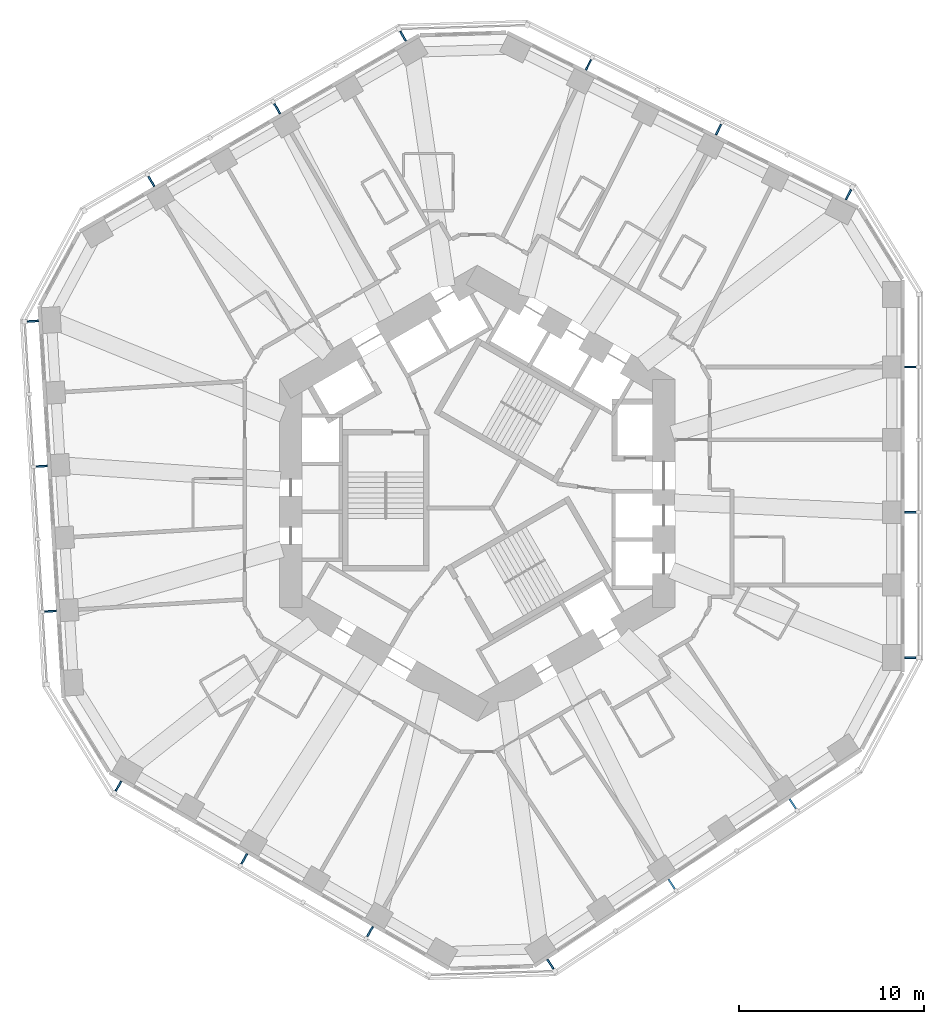
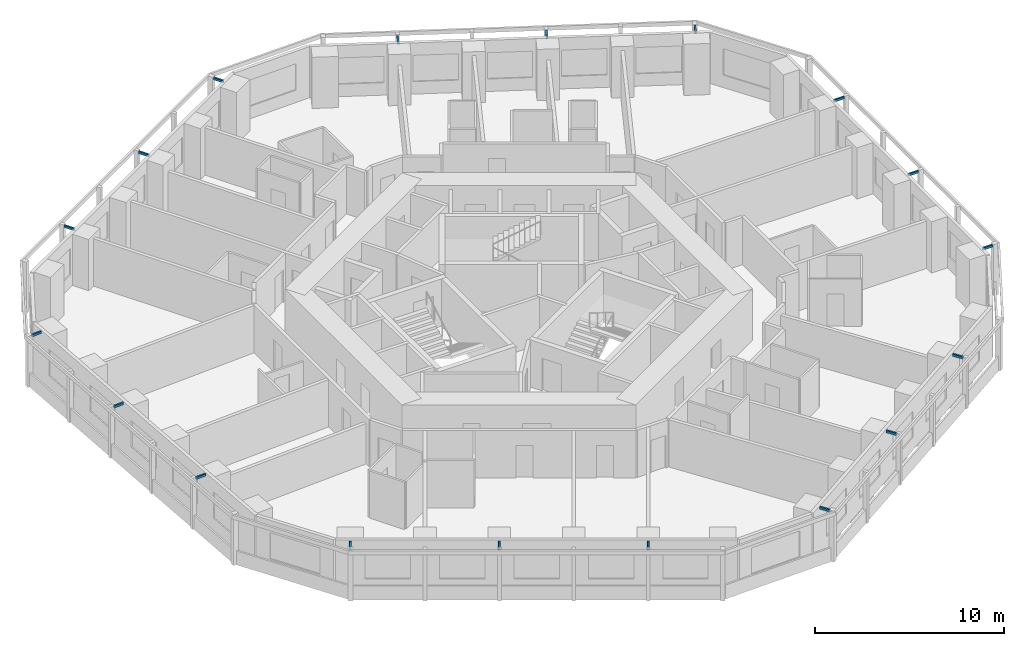
# One storey, part 11 of 12: 18 discrete accessories.
"""IFC4 building model written with IfcOpenShell, lengths in metres."""

from ifc_helpers import new_model, si_unit, direction, frame, origin, origin_2d, place, context, subcontext, project, spatial, rectangle, extrude, material, type_object, element, save


model = new_model("IFC4")

# Units and contexts
model_context = context("Model", 3, precision=1e-05, world=origin(), true_north=direction((0.0, 1.0)))
body_context = subcontext(model_context, "Body", "Model", "MODEL_VIEW")
ifc_project = project(units=[si_unit("LENGTHUNIT", "METRE"), si_unit("AREAUNIT", "SQUARE_METRE"), si_unit("VOLUMEUNIT", "CUBIC_METRE"), si_unit("PLANEANGLEUNIT", "RADIAN"), si_unit("MASSUNIT", "GRAM", prefix="KILO")], contexts=[model_context])

# Site, building, storey
site_placement = place(None, origin())
site = spatial("IfcSite", under=ifc_project, at=site_placement, CompositionType="ELEMENT")
building_placement = place(site_placement, origin())
building = spatial("IfcBuilding", under=site, at=building_placement, Name="Vanh Sen Convention Tower", CompositionType="ELEMENT")
storey_placement = place(building_placement, frame((0.0, 0.0, 70.39990234375)))
storey = spatial("IfcBuildingStorey", under=building, at=storey_placement, Name="L15", CompositionType="ELEMENT", Elevation=70.39990234375)

# Discrete accessories
ifc_material = material(Name="Steel S355", Category="steel")
discrete_accessory_type = type_object("IfcDiscreteAccessoryType", Name="Fin bracket 100 x 150", PredefinedType="BRACKET", material=ifc_material)
discrete_accessory_1_placement = place(storey_placement, frame((23.449951171875, -8.899169921875, 3.10009765625), z_axis=(0.0, 0.0, 1.0), x_axis=(1.0, 0.0, 0.0)))
element("IfcDiscreteAccessory", 1, at=discrete_accessory_1_placement, inside=storey, type_object=discrete_accessory_type, Name="Fin bracket E-1 L15", PredefinedType="BRACKET", context=body_context, shape_type="SweptSolid", body=[
    extrude(rectangle(XDim=0.60009765625, YDim=0.10009765625, at=origin_2d()), origin(), (0.0, 0.0, 1.0), 0.14990234375),
])
for number, where, z_axis, x_axis, name in (
    (2, (23.46240234375, -1.030029296875, 3.10009765625), (0.0, 0.0, 1.0), (1.0, 0.0, 0.0), "Fin bracket E-3 L15"),
    (3, (23.46240234375, 6.839111328125, 3.10009765625), (0.0, 0.0, 1.0), (1.0, 0.0, 0.0), "Fin bracket E-5 L15"),
):
    element("IfcDiscreteAccessory", number, at=place(storey_placement, frame(where, z_axis=z_axis, x_axis=x_axis)), inside=storey, type_object=discrete_accessory_type, Name=name, PredefinedType="BRACKET", context=body_context, shape_type="SweptSolid", body=[
        extrude(rectangle(XDim=0.625, YDim=0.10009765625, at=origin_2d()), origin(), (0.0, 0.0, 1.0), 0.14990234375),
    ])
discrete_accessory_2_placement = place(storey_placement, frame((20.10498046875, 16.178955078125, 3.10009765625), z_axis=(0.0, 0.0, 1.0), x_axis=(0.44619781311, 0.894934361602, 0.0)))
element("IfcDiscreteAccessory", 4, at=discrete_accessory_2_placement, inside=storey, type_object=discrete_accessory_type, Name="Fin bracket NE-1 L15", PredefinedType="BRACKET", context=body_context, shape_type="SweptSolid", body=[
    extrude(rectangle(XDim=0.60009765625, YDim=0.10009765625, at=origin_2d()), origin(), (0.0, 0.0, 1.0), 0.14990234375),
])
for number, where, z_axis, x_axis, name in (
    (5, (13.068359375, 19.701416015625, 3.10009765625), (0.0, 0.0, 1.0), (0.44619781311, 0.894934361602, 0.0), "Fin bracket NE-3 L15"),
    (6, (6.02587890625, 23.212646484375, 3.10009765625), (0.0, 0.0, 1.0), (0.44619781311, 0.894934361602, 0.0), "Fin bracket NE-5 L15"),
):
    element("IfcDiscreteAccessory", number, at=place(storey_placement, frame(where, z_axis=z_axis, x_axis=x_axis)), inside=storey, type_object=discrete_accessory_type, Name=name, PredefinedType="BRACKET", context=body_context, shape_type="SweptSolid", body=[
        extrude(rectangle(XDim=0.625, YDim=0.10009765625, at=origin_2d()), origin(), (0.0, 0.0, 1.0), 0.14990234375),
    ])
discrete_accessory_3_placement = place(storey_placement, frame((-4.01806640625, 24.7578125, 3.10009765625), z_axis=(0.0, 0.0, 1.0), x_axis=(-0.5, 0.866025403784, 0.0)))
element("IfcDiscreteAccessory", 7, at=discrete_accessory_3_placement, inside=storey, type_object=discrete_accessory_type, Name="Fin bracket NW-1 L15", PredefinedType="BRACKET", context=body_context, shape_type="SweptSolid", body=[
    extrude(rectangle(XDim=0.60009765625, YDim=0.10009765625, at=origin_2d()), origin(), (0.0, 0.0, 1.0), 0.14990234375),
])
for number, where, z_axis, x_axis, name in (
    (8, (-10.839111328125, 20.834228515625, 3.10009765625), (0.0, 0.0, 1.0), (-0.5, 0.866025403784, 0.0), "Fin bracket NW-3 L15"),
    (9, (-17.654296875, 16.899658203125, 3.10009765625), (0.0, 0.0, 1.0), (-0.5, 0.866025403784, 0.0), "Fin bracket NW-5 L15"),
):
    element("IfcDiscreteAccessory", number, at=place(storey_placement, frame(where, z_axis=z_axis, x_axis=x_axis)), inside=storey, type_object=discrete_accessory_type, Name=name, PredefinedType="BRACKET", context=body_context, shape_type="SweptSolid", body=[
        extrude(rectangle(XDim=0.625, YDim=0.10009765625, at=origin_2d()), origin(), (0.0, 0.0, 1.0), 0.14990234375),
    ])
discrete_accessory_4_placement = place(storey_placement, frame((-24.06396484375, 9.322021484375, 3.10009765625), z_axis=(0.0, 0.0, 1.0), x_axis=(-0.998134798422, -0.061048539535, 0.0)))
element("IfcDiscreteAccessory", 10, at=discrete_accessory_4_placement, inside=storey, type_object=discrete_accessory_type, Name="Fin bracket W-1 L15", PredefinedType="BRACKET", context=body_context, shape_type="SweptSolid", body=[
    extrude(rectangle(XDim=0.60009765625, YDim=0.10009765625, at=origin_2d()), origin(), (0.0, 0.0, 1.0), 0.14990234375),
])
for number, where, z_axis, x_axis, name in (
    (11, (-23.595947265625, 1.466796875, 3.10009765625), (0.0, 0.0, 1.0), (-0.998134798422, -0.061048539535, 0.0), "Fin bracket W-3 L15"),
    (12, (-23.115478515625, -6.3876953125, 3.10009765625), (0.0, 0.0, 1.0), (-0.998134798422, -0.061048539535, 0.0), "Fin bracket W-5 L15"),
):
    element("IfcDiscreteAccessory", number, at=place(storey_placement, frame(where, z_axis=z_axis, x_axis=x_axis)), inside=storey, type_object=discrete_accessory_type, Name=name, PredefinedType="BRACKET", context=body_context, shape_type="SweptSolid", body=[
        extrude(rectangle(XDim=0.625, YDim=0.10009765625, at=origin_2d()), origin(), (0.0, 0.0, 1.0), 0.14990234375),
    ])
discrete_accessory_5_placement = place(storey_placement, frame((-19.431884765625, -15.858642578125, 3.10009765625), z_axis=(0.0, 0.0, 1.0), x_axis=(-0.5, -0.866025403784, 0.0)))
element("IfcDiscreteAccessory", 13, at=discrete_accessory_5_placement, inside=storey, type_object=discrete_accessory_type, Name="Fin bracket SW-1 L15", PredefinedType="BRACKET", context=body_context, shape_type="SweptSolid", body=[
    extrude(rectangle(XDim=0.60009765625, YDim=0.10009765625, at=origin_2d()), origin(), (0.0, 0.0, 1.0), 0.14990234375),
])
for number, where, z_axis, x_axis, name in (
    (14, (-12.623291015625, -19.80419921875, 3.10009765625), (0.0, 0.0, 1.0), (-0.5, -0.866025403784, 0.0), "Fin bracket SW-3 L15"),
    (15, (-5.808349609375, -23.73876953125, 3.10009765625), (0.0, 0.0, 1.0), (-0.5, -0.866025403784, 0.0), "Fin bracket SW-5 L15"),
):
    element("IfcDiscreteAccessory", number, at=place(storey_placement, frame(where, z_axis=z_axis, x_axis=x_axis)), inside=storey, type_object=discrete_accessory_type, Name=name, PredefinedType="BRACKET", context=body_context, shape_type="SweptSolid", body=[
        extrude(rectangle(XDim=0.625, YDim=0.10009765625, at=origin_2d()), origin(), (0.0, 0.0, 1.0), 0.14990234375),
    ])
discrete_accessory_6_placement = place(storey_placement, frame((3.958740234375, -25.5009765625, 3.10009765625), z_axis=(0.0, 0.0, 1.0), x_axis=(0.551936985312, -0.833885822067, 0.0)))
element("IfcDiscreteAccessory", 16, at=discrete_accessory_6_placement, inside=storey, type_object=discrete_accessory_type, Name="Fin bracket SE-1 L15", PredefinedType="BRACKET", context=body_context, shape_type="SweptSolid", body=[
    extrude(rectangle(XDim=0.60009765625, YDim=0.10009765625, at=origin_2d()), origin(), (0.0, 0.0, 1.0), 0.14990234375),
])
for number, where, z_axis, x_axis, name in (
    (17, (10.527587890625, -21.168212890625, 3.10009765625), (0.0, 0.0, 1.0), (0.551936985312, -0.833885822067, 0.0), "Fin bracket SE-3 L15"),
    (18, (17.089599609375, -16.824951171875, 3.10009765625), (0.0, 0.0, 1.0), (0.551936985312, -0.833885822067, 0.0), "Fin bracket SE-5 L15"),
):
    element("IfcDiscreteAccessory", number, at=place(storey_placement, frame(where, z_axis=z_axis, x_axis=x_axis)), inside=storey, type_object=discrete_accessory_type, Name=name, PredefinedType="BRACKET", context=body_context, shape_type="SweptSolid", body=[
        extrude(rectangle(XDim=0.625, YDim=0.10009765625, at=origin_2d()), origin(), (0.0, 0.0, 1.0), 0.14990234375),
    ])

save(model, "model.ifc")
